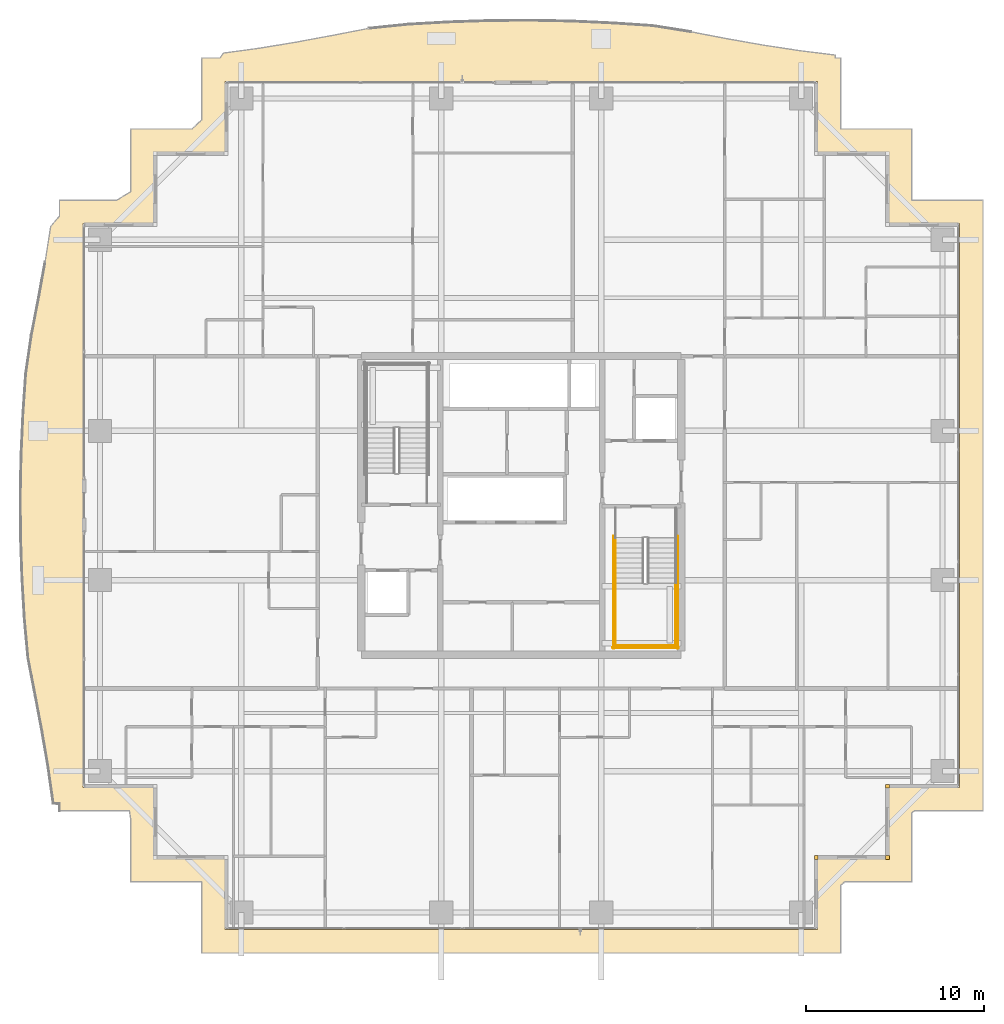
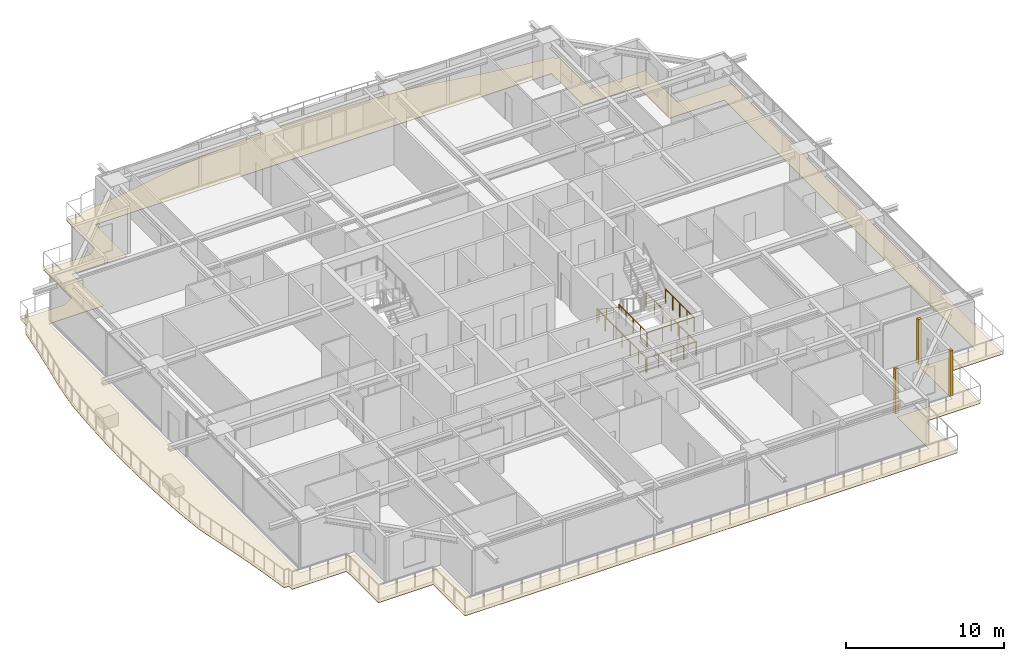
# One storey, part 36 of 39: 7 railings, 4 coverings.
"""IFC4 building model written with IfcOpenShell, lengths in metres."""

from ifc_helpers import new_model, si_unit, direction, frame, origin, origin_2d, place, context, subcontext, project, spatial, polyline, rectangle, circle, outline, extrude, source, transform, mapped, material, layer, layer_set, type_object, element, save


model = new_model("IFC4")

# Units and contexts
model_context = context("Model", 3, precision=1e-05, world=origin(), true_north=direction((0.0, 1.0)))
body_context = subcontext(model_context, "Body", "Model", "MODEL_VIEW")
ifc_project = project(units=[si_unit("LENGTHUNIT", "METRE"), si_unit("AREAUNIT", "SQUARE_METRE"), si_unit("VOLUMEUNIT", "CUBIC_METRE"), si_unit("PLANEANGLEUNIT", "RADIAN"), si_unit("MASSUNIT", "GRAM", prefix="KILO")], contexts=[model_context])

# Site, building, storey
site_placement = place(None, origin())
site = spatial("IfcSite", under=ifc_project, at=site_placement, CompositionType="ELEMENT")
building_placement = place(site_placement, origin())
building = spatial("IfcBuilding", under=site, at=building_placement, Name="Serunith Strait Residences", CompositionType="ELEMENT")
storey_placement = place(building_placement, frame((0.0, 0.0, 168.89990234375)))
storey = spatial("IfcBuildingStorey", under=building, at=storey_placement, Name="L42", CompositionType="ELEMENT", Elevation=168.89990234375)

# Covering
ifc_material_1 = material(Name="Golden Teak Exterior Timber Boarding", Category="wood")
ifc_layer_1 = layer(ifc_material_1, 0.034912109375, Name="Golden Teak Exterior Timber Boarding")
ifc_layer_set_1 = layer_set([ifc_layer_1], Name="Golden Teak Exterior Timber Boarding")
covering_type_1 = type_object("IfcCoveringType", Name="COV-TEAK-SOFFIT", PredefinedType="CEILING", material=ifc_layer_set_1)
covering_placement = place(storey_placement, frame((0.0, 0.0, -0.324951171875)))
element("IfcCovering", 1, at=covering_placement, inside=storey, type_object=covering_type_1, Name="L42 Golden-Teak Balcony Soffit Lining", PredefinedType="CEILING", context=body_context, shape_type="SweptSolid", body=[
    extrude(outline(polyline([(6.419921875, 8.02001953125), (6.419921875, 8.41455078125), (6.073974609375, 8.43408203125), (5.789306640625, 10.43408203125), (5.448486328125, 12.45458984375), (5.06103515625, 14.5126953125), (4.6513671875, 16.627197265625), (4.44970703125, 18.856201171875), (4.31787109375, 21.12841796875), (4.2392578125, 23.425537109375), (4.2216796875, 25.734619140625), (4.266845703125, 28.0400390625), (4.3701171875, 30.327392578125), (4.521728515625, 32.585205078125), (4.837646484375, 34.760986328125), (5.240966796875, 36.847412109375), (5.609130859375, 38.885986328125), (5.9248046875, 40.89501953125), (6.419921875, 41.472412109375), (6.419921875, 42.3798828125), (9.645263671875, 42.3798828125), (10.419921875, 42.84130859375), (10.419921875, 46.3798828125), (13.884033203125, 46.3798828125), (14.419921875, 46.893798828125), (14.419921875, 50.3798828125), (15.452392578125, 50.3798828125), (15.646728515625, 50.650634765625), (17.646728515625, 50.923828125), (19.664794921875, 51.25439453125), (21.71875, 51.634765625), (23.82861328125, 52.041748046875), (26.050048828125, 52.267822265625), (28.32421875, 52.3974609375), (30.623779296875, 52.47412109375), (32.93505859375, 52.490234375), (35.24267578125, 52.444091796875), (37.531494140625, 52.340576171875), (39.7900390625, 52.189453125), (41.95458984375, 51.848388671875), (44.035888671875, 51.44970703125), (46.07080078125, 51.0908203125), (48.078369140625, 50.787109375), (50.074462890625, 50.54052734375), (50.0732421875, 50.3798828125), (50.3798828125, 50.3798828125), (50.3798828125, 46.3798828125), (54.3798828125, 46.3798828125), (54.3798828125, 42.3798828125), (58.3798828125, 42.3798828125), (58.3798828125, 8.02001953125), (54.51513671875, 8.02001953125), (54.3798828125, 7.921875), (54.3798828125, 4.02001953125), (50.601806640625, 4.02001953125), (50.3798828125, 3.8408203125), (50.3798828125, 0.02001953125), (14.419921875, 0.02001953125), (14.419921875, 4.02001953125), (10.419921875, 4.02001953125), (10.419921875, 7.585205078125), (10.35498046875, 8.02001953125), (6.419921875, 8.02001953125)]), holes=[polyline([(49.054931640625, 1.344970703125), (49.054931640625, 5.344970703125), (53.054931640625, 5.344970703125), (53.054931640625, 9.344970703125), (57.054931640625, 9.344970703125), (57.054931640625, 41.054931640625), (53.054931640625, 41.054931640625), (53.054931640625, 45.054931640625), (49.054931640625, 45.054931640625), (49.054931640625, 49.054931640625), (15.7451171875, 49.054931640625), (15.7451171875, 45.054931640625), (11.7451171875, 45.054931640625), (11.7451171875, 41.054931640625), (7.7451171875, 41.054931640625), (7.7451171875, 9.344970703125), (11.7451171875, 9.344970703125), (11.7451171875, 5.344970703125), (15.7451171875, 5.344970703125), (15.7451171875, 1.344970703125), (49.054931640625, 1.344970703125)])]), origin(), (0.0, 0.0, 1.0), 0.03515625),
])

# Railings
ifc_material_2 = material(Name="Brushed stainless steel 316L", Category="steel")
railing_type_1 = type_object("IfcRailingType", Name="RLG-STAIR-GUARD", PredefinedType="BALUSTRADE", material=ifc_material_2)
for number, where, name in (
    (2, (37.699951171875, 20.85009765625, 1.875), "L42 ST-2 stair guard 3"),
    (3, (41.10009765625, 20.85009765625, 1.875), "L42 ST-2 stair guard 4"),
):
    element("IfcRailing", number, at=place(storey_placement, frame(where)), inside=storey, type_object=railing_type_1, Name=name, PredefinedType="BALUSTRADE", context=body_context, shape_type="SweptSolid", body=[
        extrude(circle(Radius=0.02392578125, at=origin_2d()), frame((0.0, -0.001953125, 1.076171875), z_axis=(0.0, -1.0, 0.0), x_axis=(1.0, 0.0, 0.0)), (0.0, 0.0, 1.0), 3.59619140625),
        extrude(circle(Radius=0.02099609375, at=origin_2d()), origin(), (0.0, 0.0, 1.0), 1.050048828125),
        extrude(circle(Radius=0.02099609375, at=origin_2d()), frame((0.0, -0.89990234375, 0.0)), (0.0, 0.0, 1.0), 1.050048828125),
        extrude(circle(Radius=0.02099609375, at=origin_2d()), frame((0.0, -1.800048828125, 0.0)), (0.0, 0.0, 1.0), 1.050048828125),
        extrude(circle(Radius=0.02099609375, at=origin_2d()), frame((0.0, -2.7001953125, 0.0)), (0.0, 0.0, 1.0), 1.050048828125),
        extrude(circle(Radius=0.02099609375, at=origin_2d()), frame((0.0, -3.60009765625, 0.0)), (0.0, 0.0, 1.0), 1.050048828125),
    ])
railing_1_placement = place(storey_placement, frame((37.64990234375, 17.300048828125, 1.875)))
element("IfcRailing", 4, at=railing_1_placement, inside=storey, type_object=railing_type_1, Name="L42 ST-2 stair guard 5", PredefinedType="BALUSTRADE", context=body_context, shape_type="SweptSolid", body=[
    extrude(circle(Radius=0.02392578125, at=origin_2d()), frame((0.001953125, 0.0, 1.076171875), z_axis=(1.0, 0.0, 0.0), x_axis=(0.0, 1.0, 0.0)), (0.0, 0.0, 1.0), 3.49609375),
    extrude(circle(Radius=0.02099609375, at=origin_2d()), origin(), (0.0, 0.0, 1.0), 1.050048828125),
    extrude(circle(Radius=0.02099609375, at=origin_2d()), frame((1.166748046875, 0.0, 0.0)), (0.0, 0.0, 1.0), 1.050048828125),
    extrude(circle(Radius=0.02099609375, at=origin_2d()), frame((2.333251953125, 0.0, 0.0)), (0.0, 0.0, 1.0), 1.050048828125),
    extrude(circle(Radius=0.02099609375, at=origin_2d()), frame((3.5, 0.0, 0.0)), (0.0, 0.0, 1.0), 1.050048828125),
])
for number, where, name in (
    (5, (37.60009765625, 23.469970703125, 0.0), "L42 ST-2 stair guard 10"),
    (6, (41.199951171875, 23.469970703125, 0.0), "L42 ST-2 stair guard 11"),
):
    element("IfcRailing", number, at=place(storey_placement, frame(where)), inside=storey, type_object=railing_type_1, Name=name, PredefinedType="BALUSTRADE", context=body_context, shape_type="SweptSolid", body=[
        extrude(circle(Radius=0.02392578125, at=origin_2d()), frame((0.0, -0.001953125, 1.076171875), z_axis=(0.0, -1.0, 0.0), x_axis=(1.0, 0.0, 0.0)), (0.0, 0.0, 1.0), 6.316162109375),
        extrude(circle(Radius=0.02099609375, at=origin_2d()), origin(), (0.0, 0.0, 1.0), 1.050048828125),
        extrude(circle(Radius=0.02099609375, at=origin_2d()), frame((0.0, -1.05322265625, 0.0)), (0.0, 0.0, 1.0), 1.050048828125),
        extrude(circle(Radius=0.02099609375, at=origin_2d()), frame((0.0, -2.106689453125, 0.0)), (0.0, 0.0, 1.0), 1.050048828125),
        extrude(circle(Radius=0.02099609375, at=origin_2d()), frame((0.0, -3.16015625, 0.0)), (0.0, 0.0, 1.0), 1.050048828125),
        extrude(circle(Radius=0.02099609375, at=origin_2d()), frame((0.0, -4.21337890625, 0.0)), (0.0, 0.0, 1.0), 1.050048828125),
        extrude(circle(Radius=0.02099609375, at=origin_2d()), frame((0.0, -5.2666015625, 0.0)), (0.0, 0.0, 1.0), 1.050048828125),
        extrude(circle(Radius=0.02099609375, at=origin_2d()), frame((0.0, -6.320068359375, 0.0)), (0.0, 0.0, 1.0), 1.050048828125),
    ])
railing_2_placement = place(storey_placement, frame((37.550048828125, 17.199951171875, 0.0)))
element("IfcRailing", 7, at=railing_2_placement, inside=storey, type_object=railing_type_1, Name="L42 ST-2 stair guard 12", PredefinedType="BALUSTRADE", context=body_context, shape_type="SweptSolid", body=[
    extrude(circle(Radius=0.02392578125, at=origin_2d()), frame((0.001953125, 0.0, 1.076171875), z_axis=(1.0, 0.0, 0.0), x_axis=(0.0, 1.0, 0.0)), (0.0, 0.0, 1.0), 3.696044921875),
    extrude(circle(Radius=0.02099609375, at=origin_2d()), origin(), (0.0, 0.0, 1.0), 1.050048828125),
    extrude(circle(Radius=0.02099609375, at=origin_2d()), frame((0.925048828125, 0.0, 0.0)), (0.0, 0.0, 1.0), 1.050048828125),
    extrude(circle(Radius=0.02099609375, at=origin_2d()), frame((1.85009765625, 0.0, 0.0)), (0.0, 0.0, 1.0), 1.050048828125),
    extrude(circle(Radius=0.02099609375, at=origin_2d()), frame((2.77490234375, 0.0, 0.0)), (0.0, 0.0, 1.0), 1.050048828125),
    extrude(circle(Radius=0.02099609375, at=origin_2d()), frame((3.699951171875, 0.0, 0.0)), (0.0, 0.0, 1.0), 1.050048828125),
])
railing_type_2 = type_object("IfcRailingType", Name="RLG-STAIR-HR", PredefinedType="HANDRAIL", material=ifc_material_2)
railing_3_placement = place(storey_placement, frame((37.699951171875, 23.3701171875, 0.1875)))
element("IfcRailing", 8, at=railing_3_placement, inside=storey, type_object=railing_type_2, Name="L42 ST-2 stair handrail 1", PredefinedType="HANDRAIL", context=body_context, shape_type="SweptSolid", body=[
    extrude(circle(Radius=0.02392578125, at=origin_2d()), frame((0.0, -0.001708984375, 0.876953125), z_axis=(0.0, -0.830208209119, 0.557453432594), x_axis=(1.0, 0.0, 0.0)), (0.0, 0.0, 1.0), 3.36865234375),
    extrude(circle(Radius=0.02099609375, at=origin_2d()), origin(), (0.0, 0.0, 1.0), 0.849853515625),
    extrude(circle(Radius=0.02099609375, at=origin_2d()), frame((0.0, -0.933349609375, 0.626708984375)), (0.0, 0.0, 1.0), 0.849853515625),
    extrude(circle(Radius=0.02099609375, at=origin_2d()), frame((0.0, -1.86669921875, 1.25341796875)), (0.0, 0.0, 1.0), 0.849853515625),
    extrude(circle(Radius=0.02099609375, at=origin_2d()), frame((0.0, -2.800048828125, 1.880126953125)), (0.0, 0.0, 1.0), 0.849853515625),
])

# Coverings
ifc_material_3 = material(Name="Pale-Champagne Anodised Aluminium", Category="aluminium")
ifc_layer_2 = layer(ifc_material_3, 0.219970703125, Name="Pale-Champagne Anodised Aluminium")
ifc_layer_set_2 = layer_set([ifc_layer_2], Name="Pale-Champagne Anodised Aluminium")
covering_type_2 = type_object("IfcCoveringType", Name="COV-CORN-TRIM", PredefinedType="CLADDING", material=ifc_layer_set_2)
shared_shape = source(origin(), body_context, "Body", "SweptSolid", [
    extrude(rectangle(XDim=0.221923828125, YDim=0.221923828125, at=origin_2d()), origin(), (0.0, 0.0, 1.0), 3.47509765625),
])
for number, where, z_axis, x_axis, name in (
    (9, (49.0, 5.39990234375, 0.0), (0.0, 0.0, 1.0), (1.0, 0.0, 0.0), "L42 Girih Serrated Corner Trim Post 02"),
    (10, (53.0, 5.39990234375, 0.0), (0.0, 0.0, 1.0), (1.0, 0.0, 0.0), "L42 Girih Serrated Corner Trim Post 03"),
    (11, (53.0, 9.39990234375, 0.0), (0.0, 0.0, 1.0), (1.0, 0.0, 0.0), "L42 Girih Serrated Corner Trim Post 04"),
):
    element("IfcCovering", number, at=place(storey_placement, frame(where, z_axis=z_axis, x_axis=x_axis)), inside=storey, type_object=covering_type_2, Name=name, PredefinedType="CLADDING", context=body_context, shape_type="MappedRepresentation", body=[
        mapped(shared_shape, transform((0.0, 0.0, 0.0), scale=1.0)),
    ])

save(model, "model.ifc")
